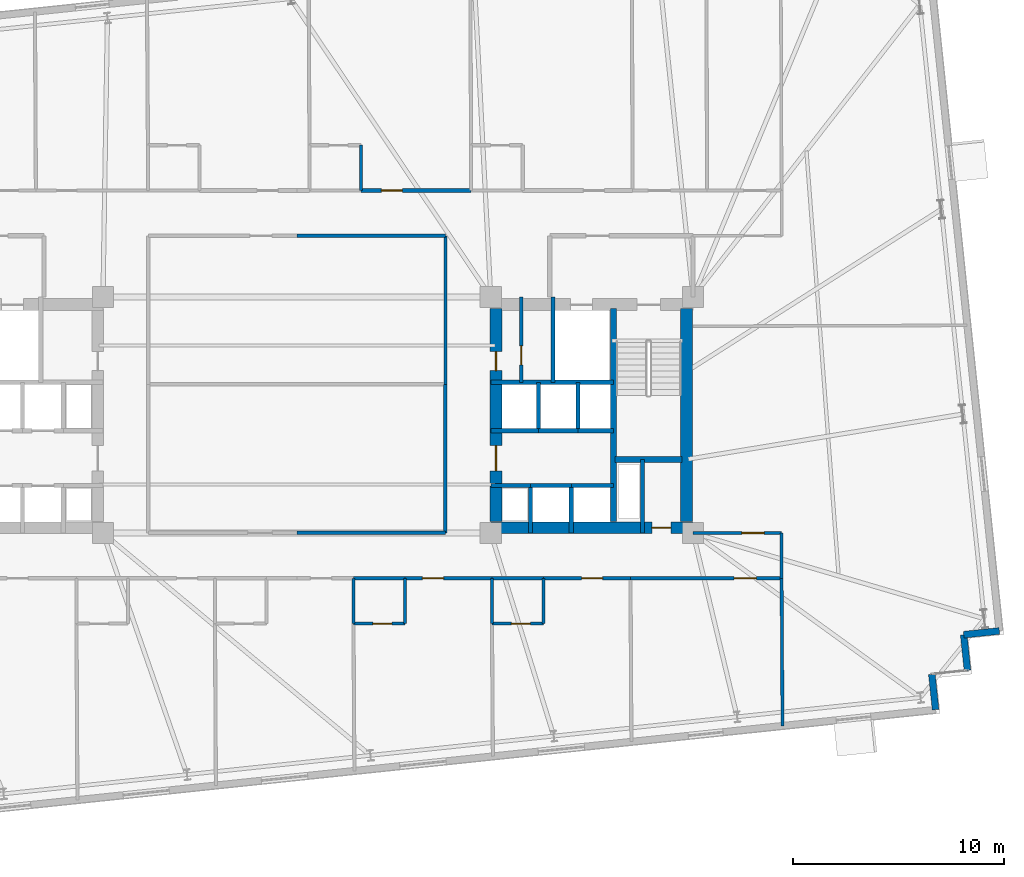
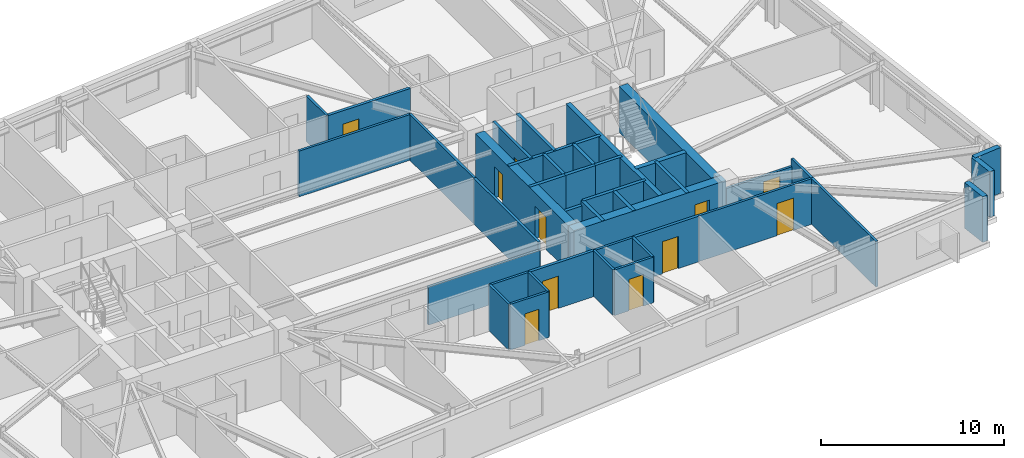
# One storey, part 14 of 18: 42 walls, 11 doors, 11 openings.
"""IFC4 building model written with IfcOpenShell, lengths in metres."""

import ifcopenshell
import ifcopenshell.guid

model = None  # the IFC model being written
_history = None  # IfcOwnerHistory: only IFC2X3 demands one
_inside = {}  # id of a spatial element -> (the spatial element, [elements in it])
_under = {}  # id of a project, library or spatial element -> (it, [spatial elements below it])
_declared = {}  # id of a project -> (the project, [libraries it declares])
_typed = {}  # id of a type object -> (the type object, [elements of that type])
_made_of = {}  # id of a material, layer set ... -> (it, [elements and type objects made of it])


def new_model(schema):
    """Start an empty IFC model of exactly this schema.

    Asked for "IFC4X3", IfcOpenShell would pick the latest addendum, in which some entities
    have other attributes; the version numbers below select the first issue.
    IFC2X3 requires an IfcOwnerHistory on every rooted entity: one is made here for all.
    """
    global model, _history
    if schema == "IFC4X3":
        model = ifcopenshell.file(schema_version=(4, 3, 0, 0))
    else:
        model = ifcopenshell.file(schema=schema)
    _inside.clear()
    _under.clear()
    _declared.clear()
    _typed.clear()
    _made_of.clear()
    _history = None
    if model.schema == "IFC2X3":
        org = make("IfcOrganization", Name="unknown")
        user = make(
            "IfcPersonAndOrganization",
            ThePerson=make("IfcPerson", FamilyName="unknown"),
            TheOrganization=org,
        )
        app = make(
            "IfcApplication",
            ApplicationDeveloper=org,
            Version="unknown",
            ApplicationFullName="unknown",
            ApplicationIdentifier="unknown",
        )
        _history = make(
            "IfcOwnerHistory",
            OwningUser=user,
            OwningApplication=app,
            ChangeAction="ADDED",
            CreationDate=0,
        )
    return model


def make(cls, **values):
    """One entity of the class cls with the attributes given. An attribute that is None is left unset."""
    return model.create_entity(
        cls, **{name: value for name, value in values.items() if value is not None}
    )


def rooted(cls, **values):
    """An entity with a GlobalId (a new one), such as an element, a storey or a relation."""
    return make(cls, GlobalId=ifcopenshell.guid.new(), OwnerHistory=_history, **values)


def si_unit(unit_type, name, prefix=None):
    """IfcSIUnit, for example si_unit("LENGTHUNIT", "METRE", prefix="MILLI")."""
    return make("IfcSIUnit", UnitType=unit_type, Prefix=prefix, Name=name)


def assignment(units):
    """IfcUnitAssignment: the units of a project."""
    return None if units is None else make("IfcUnitAssignment", Units=units)


def point(xyz):
    """IfcCartesianPoint."""
    return None if xyz is None else make("IfcCartesianPoint", Coordinates=xyz)


def direction(xyz):
    """IfcDirection."""
    return None if xyz is None else make("IfcDirection", DirectionRatios=xyz)


def frame(location, z_axis=None, x_axis=None):
    """IfcAxis2Placement3D, a coordinate frame: its origin and axes. An axis left out is left unset."""
    return make(
        "IfcAxis2Placement3D",
        Location=point(location),
        Axis=direction(z_axis),
        RefDirection=direction(x_axis),
    )


def frame_2d(location, x_axis=None):
    """IfcAxis2Placement2D, a coordinate frame in the plane: its origin and x axis."""
    return make(
        "IfcAxis2Placement2D", Location=point(location), RefDirection=direction(x_axis)
    )


def origin():
    """The frame at (0, 0, 0) with its axes left unset."""
    return frame((0.0, 0.0, 0.0))


def place(relative_to, where):
    """IfcLocalPlacement: puts the frame where relative to a parent placement (None: the world)."""
    return make(
        "IfcLocalPlacement", PlacementRelTo=relative_to, RelativePlacement=where
    )


def context(
    kind, dimensions, precision=None, world=None, true_north=None, identifier=None
):
    """IfcGeometricRepresentationContext, for example the 3D "Model" context."""
    return make(
        "IfcGeometricRepresentationContext",
        ContextIdentifier=identifier,
        ContextType=kind,
        CoordinateSpaceDimension=dimensions,
        Precision=precision,
        WorldCoordinateSystem=world,
        TrueNorth=true_north,
    )


def subcontext(parent, identifier, kind, view, scale=None):
    """IfcGeometricRepresentationSubContext, for example "Body" below "Model"."""
    return make(
        "IfcGeometricRepresentationSubContext",
        ContextIdentifier=identifier,
        ContextType=kind,
        ParentContext=parent,
        TargetScale=scale,
        TargetView=view,
    )


def project(units=None, contexts=None):
    """IfcProject with its units and contexts."""
    return rooted(
        "IfcProject",
        Name="project",
        RepresentationContexts=contexts,
        UnitsInContext=assignment(units),
    )


def spatial(cls, under=None, at=None, **own):
    """A site, building, storey or space (cls), placed at a placement, below another one or the project."""
    s = rooted(cls, ObjectPlacement=at, **own)
    if under is not None:
        _under.setdefault(under.id(), (under, []))[1].append(s)
    return s


def profile(cls, at=None, kind="AREA", **sizes):
    """A parametric profile (cls). Its sizes go by their IFC names, for example OverallWidth=200.0."""
    return make(cls, ProfileType=kind, Position=at, **sizes)


def rectangle(**sizes):
    """IfcRectangleProfileDef."""
    return profile("IfcRectangleProfileDef", **sizes)


def extrude(swept, where, along, depth):
    """IfcExtrudedAreaSolid: the profile swept, set in the frame where, extruded along a direction by depth."""
    return make(
        "IfcExtrudedAreaSolid",
        SweptArea=swept,
        Position=where,
        ExtrudedDirection=direction(along),
        Depth=depth,
    )


def shape(context_of_items, identifier, shape_type, items):
    """IfcShapeRepresentation: the items that make up one representation, for example the "Body"."""
    return make(
        "IfcShapeRepresentation",
        ContextOfItems=context_of_items,
        RepresentationIdentifier=identifier,
        RepresentationType=shape_type,
        Items=items,
    )


def material(Name=None, Category=None):
    """IfcMaterial."""
    return make("IfcMaterial", Name=Name, Category=Category)


def layer(
    of_material, thickness, ventilated=None, Name=None, Category=None, Priority=None
):
    """IfcMaterialLayer: one layer of a wall or slab, of a material (None: an air gap)."""
    return make(
        "IfcMaterialLayer",
        Material=of_material,
        LayerThickness=thickness,
        IsVentilated=ventilated,
        Name=Name,
        Category=Category,
        Priority=Priority,
    )


def layer_set(layers, Name=None):
    """IfcMaterialLayerSet."""
    return make("IfcMaterialLayerSet", MaterialLayers=layers, LayerSetName=Name)


def made_of(thing, what):
    """Note that an element or type object is made of a material, layer set ...; save() writes the relation."""
    if what is not None:
        _made_of.setdefault(what.id(), (what, []))[1].append(thing)
    return thing


def type_object(cls, material=None, **own):
    """A type object (cls), such as IfcWallType, which elements share."""
    return made_of(rooted(cls, **own), material)


def element(
    cls,
    number,
    at=None,
    inside=None,
    cuts=None,
    type_object=None,
    material=None,
    context=None,
    identifier="Body",
    shape_type=None,
    held_by="IfcProductDefinitionShape",
    body=None,
    shapes=None,
    **own,
):
    """One element of the class cls, such as IfcWall. Its Tag is "e" and its number.

    at: its placement. inside: the storey or other place that contains it. cuts: it is an
    opening in that element (IfcRelVoidsElement). A single representation is given by context,
    identifier, shape_type and body (its items); several are given by shapes. held_by: the class
    of the entity that holds the representations. save() writes the other relations.
    """
    e = rooted(cls, Tag="e%d" % number, ObjectPlacement=at, **own)
    if body is not None:
        shapes = [shape(context, identifier, shape_type, body)]
    if shapes is not None:
        e.Representation = make(held_by, Representations=shapes)
    if inside is not None:
        _inside.setdefault(inside.id(), (inside, []))[1].append(e)
    if cuts is not None:
        rooted(
            "IfcRelVoidsElement", RelatingBuildingElement=cuts, RelatedOpeningElement=e
        )
    if type_object is not None:
        _typed.setdefault(type_object.id(), (type_object, []))[1].append(e)
    return made_of(e, material)


def fill(opening, filler):
    """IfcRelFillsElement: the door or window that sits in an opening."""
    return rooted(
        "IfcRelFillsElement",
        RelatingOpeningElement=opening,
        RelatedBuildingElement=filler,
    )


def aggregate(whole, parts):
    """IfcRelAggregates: a whole, such as a stair, and the parts it consists of."""
    return rooted("IfcRelAggregates", RelatingObject=whole, RelatedObjects=parts)


def save(model, path):
    """Write the relations noted so far, then the file.

    IfcRelAggregates (storeys below a building ...), IfcRelContainedInSpatialStructure (elements
    in a storey), IfcRelDefinesByType, IfcRelAssociatesMaterial and IfcRelDeclares: one each for
    every whole, place, type object, material and project.
    """
    for whole, parts in _under.values():
        aggregate(whole, parts)
    for where, things in _inside.values():
        rooted(
            "IfcRelContainedInSpatialStructure",
            RelatedElements=things,
            RelatingStructure=where,
        )
    for kind, things in _typed.values():
        rooted("IfcRelDefinesByType", RelatedObjects=things, RelatingType=kind)
    for what, things in _made_of.values():
        rooted("IfcRelAssociatesMaterial", RelatedObjects=things, RelatingMaterial=what)
    for by, libraries in _declared.values():
        rooted("IfcRelDeclares", RelatingContext=by, RelatedDefinitions=libraries)
    model.write(path)


model = new_model("IFC4")

# Units and contexts
model_context = context("Model", 3, precision=1e-05, world=origin(), true_north=direction((0.0, 1.0)))
body_context = subcontext(model_context, "Body", "Model", "MODEL_VIEW")
ifc_project = project(units=[si_unit("LENGTHUNIT", "METRE"), si_unit("AREAUNIT", "SQUARE_METRE"), si_unit("VOLUMEUNIT", "CUBIC_METRE"), si_unit("PLANEANGLEUNIT", "RADIAN"), si_unit("MASSUNIT", "GRAM", prefix="KILO")], contexts=[model_context])

# Site, building, storey
site_placement = place(None, origin())
site = spatial("IfcSite", under=ifc_project, at=site_placement, CompositionType="ELEMENT")
building_placement = place(site_placement, origin())
building = spatial("IfcBuilding", under=site, at=building_placement, Name="Qobustan Lattice House", CompositionType="ELEMENT")
storey_placement = place(building_placement, frame((0.0, 0.0, 119.199951171875)))
storey = spatial("IfcBuildingStorey", under=building, at=storey_placement, Name="L33", CompositionType="ELEMENT", Elevation=119.199951171875)

# Wall, opening, door
ifc_material_1 = material(Name="Concrete C60/75", Category="concrete")
ifc_layer_1 = layer(ifc_material_1, 0.56005859375)
ifc_layer_set_1 = layer_set([ifc_layer_1], Name="Concrete C60/75")
wall_type_1 = type_object("IfcWallType", Name="WAL-CORE-600", PredefinedType="SHEAR", material=ifc_layer_set_1)
wall_1_placement = place(storey_placement, frame((9.199951171875, -5.35009765625, 0.0), z_axis=(0.0, 0.0, 1.0), x_axis=(1.0, 0.0, 0.0)))
wall_1 = element("IfcWall", 1, at=wall_1_placement, inside=storey, type_object=wall_type_1, Name="L33 split-core shear wall CE-S", PredefinedType="SHEAR", context=body_context, shape_type="SweptSolid", body=[
    extrude(rectangle(XDim=9.60009765625, YDim=0.56005859375, at=frame_2d((4.800048828125, 0.0))), origin(), (0.0, 0.0, 1.0), 3.045166015625),
])
opening_1_placement = place(wall_1_placement, frame((7.64990234375, 0.0, 0.0)))
opening_1 = element("IfcOpeningElement", 2, at=opening_1_placement, cuts=wall_1, Name="Opening RD-01", PredefinedType="OPENING", context=body_context, shape_type="SweptSolid", body=[
    extrude(rectangle(XDim=0.89990234375, YDim=2.10009765625, at=frame_2d((0.449951171875, 1.050048828125))), frame((0.0, 0.2900390625, 0.0), z_axis=(0.0, -1.0, 0.0), x_axis=(1.0, 0.0, 0.0)), (0.0, 0.0, 1.0), 0.580078125),
])
ifc_material_2 = material(Name="Persian walnut timber and steel frame door", Category="steel")
door_type_1 = type_object("IfcDoorType", Name="DOR-RISER-FD-900x2100", OperationType="NOTDEFINED", PredefinedType="DOOR", material=ifc_material_2)
door_1_placement = place(opening_1_placement, origin())
door_1 = element("IfcDoor", 3, at=door_1_placement, inside=storey, type_object=door_type_1, Name="L33 core service riser access door E", OperationType="SINGLE_SWING_LEFT", OverallHeight=2.10009765625, OverallWidth=0.89990234375, PredefinedType="DOOR", context=body_context, shape_type="SweptSolid", body=[
    extrude(rectangle(XDim=0.89990234375, YDim=2.10009765625, at=frame_2d((0.449951171875, 1.050048828125))), frame((0.0, 0.02490234375, 0.0), z_axis=(0.0, -1.0, 0.0), x_axis=(1.0, 0.0, 0.0)), (0.0, 0.0, 1.0), 0.050048828125),
])
fill(opening_1, door_1)

# Wall, openings, doors
wall_2_placement = place(storey_placement, frame((9.449951171875, -5.050048828125, 0.0), z_axis=(0.0, 0.0, 1.0), x_axis=(0.0, 1.0, 0.0)))
wall_2 = element("IfcWall", 4, at=wall_2_placement, inside=storey, type_object=wall_type_1, Name="L33 split-core shear wall CE-W", PredefinedType="SHEAR", context=body_context, shape_type="SweptSolid", body=[
    extrude(rectangle(XDim=10.10009765625, YDim=0.56005859375, at=frame_2d((5.050048828125, 0.0))), origin(), (0.0, 0.0, 1.0), 3.045166015625),
])
opening_2_placement = place(wall_2_placement, frame((7.14990234375, 0.0, 0.0)))
opening_2 = element("IfcOpeningElement", 5, at=opening_2_placement, cuts=wall_2, Name="Opening RD-01", PredefinedType="OPENING", context=body_context, shape_type="SweptSolid", body=[
    extrude(rectangle(XDim=0.89990234375, YDim=2.10009765625, at=frame_2d((0.449951171875, 1.050048828125))), frame((0.0, 0.2900390625, 0.0), z_axis=(0.0, -1.0, 0.0), x_axis=(1.0, 0.0, 0.0)), (0.0, 0.0, 1.0), 0.580078125),
])
opening_3_placement = place(wall_2_placement, frame((2.39990234375, 0.0, 0.0)))
opening_3 = element("IfcOpeningElement", 6, at=opening_3_placement, cuts=wall_2, Name="Opening FD-01", PredefinedType="OPENING", context=body_context, shape_type="SweptSolid", body=[
    extrude(rectangle(XDim=1.199951171875, YDim=2.14990234375, at=frame_2d((0.60009765625, 1.074951171875))), frame((0.0, 0.2900390625, 0.0), z_axis=(0.0, -1.0, 0.0), x_axis=(1.0, 0.0, 0.0)), (0.0, 0.0, 1.0), 0.580078125),
])
ifc_material_3 = material(Name="Persian walnut timber and steel frame door", Category="steel")
door_type_2 = type_object("IfcDoorType", Name="DOR-LOBBY-FD-1200x2150", OperationType="NOTDEFINED", PredefinedType="DOOR", material=ifc_material_3)
door_2_placement = place(opening_3_placement, origin())
door_2 = element("IfcDoor", 7, at=door_2_placement, inside=storey, type_object=door_type_2, Name="L33 East passenger lift lobby fire door", OperationType="SINGLE_SWING_RIGHT", OverallHeight=2.14990234375, OverallWidth=1.199951171875, PredefinedType="DOOR", context=body_context, shape_type="SweptSolid", body=[
    extrude(rectangle(XDim=1.199951171875, YDim=2.14990234375, at=frame_2d((0.60009765625, 1.074951171875))), frame((0.0, 0.02490234375, 0.0), z_axis=(0.0, -1.0, 0.0), x_axis=(1.0, 0.0, 0.0)), (0.0, 0.0, 1.0), 0.050048828125),
])
fill(opening_3, door_2)
door_3_placement = place(opening_2_placement, origin())
door_3 = element("IfcDoor", 8, at=door_3_placement, inside=storey, type_object=door_type_1, Name="L33 Print and mail closet fire door", OperationType="SINGLE_SWING_LEFT", OverallHeight=2.10009765625, OverallWidth=0.89990234375, PredefinedType="DOOR", context=body_context, shape_type="SweptSolid", body=[
    extrude(rectangle(XDim=0.89990234375, YDim=2.10009765625, at=frame_2d((0.449951171875, 1.050048828125))), frame((0.0, 0.02490234375, 0.0), z_axis=(0.0, -1.0, 0.0), x_axis=(1.0, 0.0, 0.0)), (0.0, 0.0, 1.0), 0.050048828125),
])
fill(opening_2, door_3)

# Walls
wall_3_placement = place(storey_placement, frame((18.489990234375, -5.050048828125, 0.0), z_axis=(0.0, 0.0, 1.0), x_axis=(0.0, 1.0, 0.0)))
element("IfcWall", 9, at=wall_3_placement, inside=storey, type_object=wall_type_1, Name="L33 split-core shear wall CE-E", PredefinedType="SHEAR", context=body_context, shape_type="SweptSolid", body=[
    extrude(rectangle(XDim=10.10009765625, YDim=0.56005859375, at=frame_2d((5.050048828125, 0.0))), origin(), (0.0, 0.0, 1.0), 3.045166015625),
])
ifc_material_4 = material(Name="Concrete C50/60", Category="concrete")
ifc_layer_2 = layer(ifc_material_4, 0.280029296875)
ifc_layer_set_2 = layer_set([ifc_layer_2], Name="Concrete C50/60")
wall_type_2 = type_object("IfcWallType", Name="WAL-CORE-SPINE-280", PredefinedType="SHEAR", material=ifc_layer_set_2)
wall_4_placement = place(storey_placement, frame((15.02001953125, -5.050048828125, 0.0), z_axis=(0.0, 0.0, 1.0), x_axis=(0.0, 1.0, 0.0)))
element("IfcWall", 10, at=wall_4_placement, inside=storey, type_object=wall_type_2, Name="L33 split-core shear wall CE-M", PredefinedType="SHEAR", context=body_context, shape_type="SweptSolid", body=[
    extrude(rectangle(XDim=10.10009765625, YDim=0.300048828125, at=frame_2d((5.050048828125, 0.0))), origin(), (0.0, 0.0, 1.0), 3.045166015625),
])
wall_5_placement = place(storey_placement, frame((15.10009765625, -2.110107421875, 0.0), z_axis=(0.0, 0.0, 1.0), x_axis=(1.0, 0.0, 0.0)))
element("IfcWall", 11, at=wall_5_placement, inside=storey, type_object=wall_type_2, Name="L33 split-core shear wall CE-ST", PredefinedType="SHEAR", context=body_context, shape_type="SweptSolid", body=[
    extrude(rectangle(XDim=3.179931640625, YDim=0.300048828125, at=frame_2d((1.58984375, 0.0))), origin(), (0.0, 0.0, 1.0), 3.045166015625),
])
ifc_material_5 = material(Name="Precast concrete C40/50", Category="concrete")
ifc_layer_3 = layer(ifc_material_5, 0.320068359375)
ifc_layer_set_3 = layer_set([ifc_layer_3], Name="Precast concrete C40/50")
wall_type_3 = type_object("IfcWallType", Name="WAL-EXT-STONE-320", PredefinedType="SOLIDWALL", material=ifc_layer_set_3)
for number, where, z_axis, x_axis, name in (
    (12, (33.333251953125, -10.2490234375, 0.0), (0.0, 0.0, 1.0), (-0.994519608382, -0.104550220202, 0.0), "L33 exterior limestone-clad wall 16"),
    (13, (31.642578125, -10.4267578125, 0.0), (0.0, 0.0, 1.0), (0.104550220202, -0.994519608382, 0.0), "L33 exterior limestone-clad wall 17"),
):
    element("IfcWall", number, at=place(storey_placement, frame(where, z_axis=z_axis, x_axis=x_axis)), inside=storey, type_object=wall_type_3, Name=name, PredefinedType="SOLIDWALL", context=body_context, shape_type="SweptSolid", body=[
        extrude(rectangle(XDim=1.699951171875, YDim=0.320068359375, at=frame_2d((0.85009765625, 0.0))), origin(), (0.0, 0.0, 1.0), 3.045166015625),
    ])
wall_6_placement = place(storey_placement, frame((30.129638671875, -12.295166015625, 0.0), z_axis=(0.0, 0.0, 1.0), x_axis=(0.104565154801, -0.994518038248, 0.0)))
element("IfcWall", 14, at=wall_6_placement, inside=storey, type_object=wall_type_3, Name="L33 exterior limestone-clad wall 19", PredefinedType="SOLIDWALL", context=body_context, shape_type="SweptSolid", body=[
    extrude(rectangle(XDim=1.69970703125, YDim=0.320068359375, at=frame_2d((0.849853515625, 0.0))), origin(), (0.0, 0.0, 1.0), 3.045166015625),
])

# Wall, opening, door
ifc_material_6 = material(Name="Gypsum fireboard acoustic partition", Category="gypsum")
ifc_layer_4 = layer(ifc_material_6, 0.179931640625)
ifc_layer_set_4 = layer_set([ifc_layer_4], Name="Gypsum fireboard acoustic partition")
wall_type_4 = type_object("IfcWallType", Name="WAL-FIRE-180", PredefinedType="PARTITIONING", material=ifc_layer_set_4)
wall_7_placement = place(storey_placement, frame((10.64990234375, 1.550048828125, 0.0), z_axis=(0.0, 0.0, 1.0), x_axis=(0.0, 1.0, 0.0)))
wall_7 = element("IfcWall", 15, at=wall_7_placement, inside=storey, type_object=wall_type_4, Name="L33 interior partition 23", PredefinedType="PARTITIONING", context=body_context, shape_type="SweptSolid", body=[
    extrude(rectangle(XDim=4.050048828125, YDim=0.179931640625, at=frame_2d((2.02490234375, 0.0))), origin(), (0.0, 0.0, 1.0), 3.045166015625),
])
opening_4_placement = place(wall_7_placement, frame((0.828857421875, 0.0, 0.0)))
opening_4 = element("IfcOpeningElement", 16, at=opening_4_placement, cuts=wall_7, Name="Opening RD-01", PredefinedType="OPENING", context=body_context, shape_type="SweptSolid", body=[
    extrude(rectangle(XDim=0.89990234375, YDim=2.10009765625, at=frame_2d((0.449951171875, 1.050048828125))), frame((0.0, 0.099853515625, 0.0), z_axis=(0.0, -1.0, 0.0), x_axis=(1.0, 0.0, 0.0)), (0.0, 0.0, 1.0), 0.199951171875),
])
door_4_placement = place(opening_4_placement, origin())
door_4 = element("IfcDoor", 17, at=door_4_placement, inside=storey, type_object=door_type_1, Name="L33 Print and mail closet to Core utility store door", OperationType="SINGLE_SWING_RIGHT", OverallHeight=2.10009765625, OverallWidth=0.89990234375, PredefinedType="DOOR", context=body_context, shape_type="SweptSolid", body=[
    extrude(rectangle(XDim=0.89990234375, YDim=2.10009765625, at=frame_2d((0.449951171875, 1.050048828125))), frame((0.0, 0.02490234375, 0.0), z_axis=(0.0, -1.0, 0.0), x_axis=(1.0, 0.0, 0.0)), (0.0, 0.0, 1.0), 0.050048828125),
])
fill(opening_4, door_4)

wall_8_placement = place(storey_placement, frame((3.050048828125, 10.64990234375, 0.0), z_axis=(0.0, 0.0, 1.0), x_axis=(1.0, 0.0, 0.0)))
wall_8 = element("IfcWall", 18, at=wall_8_placement, inside=storey, type_object=wall_type_4, Name="L33 interior partition 47", PredefinedType="PARTITIONING", context=body_context, shape_type="SweptSolid", body=[
    extrude(rectangle(XDim=5.217041015625, YDim=0.179931640625, at=frame_2d((2.6083984375, 0.0))), origin(), (0.0, 0.0, 1.0), 3.045166015625),
])
opening_5_placement = place(wall_8_placement, frame((0.962158203125, 0.0, 0.0)))
opening_5 = element("IfcOpeningElement", 19, at=opening_5_placement, cuts=wall_8, Name="Opening FD-02", PredefinedType="OPENING", context=body_context, shape_type="SweptSolid", body=[
    extrude(rectangle(XDim=1.0, YDim=2.14990234375, at=frame_2d((0.5, 1.074951171875))), frame((0.0, 0.099853515625, 0.0), z_axis=(0.0, -1.0, 0.0), x_axis=(1.0, 0.0, 0.0)), (0.0, 0.0, 1.0), 0.199951171875),
])
ifc_material_7 = material(Name="Persian walnut timber and steel frame door", Category="steel")
door_type_3 = type_object("IfcDoorType", Name="DOR-UNIT-FD-1000x2150", OperationType="NOTDEFINED", PredefinedType="DOOR", material=ifc_material_7)
door_5_placement = place(opening_5_placement, origin())
door_5 = element("IfcDoor", 20, at=door_5_placement, inside=storey, type_object=door_type_3, Name="L33 North-east floor corridor to Kitchenette and studio apartment L33-N4 door", OperationType="SINGLE_SWING_RIGHT", OverallHeight=2.14990234375, OverallWidth=1.0, PredefinedType="DOOR", context=body_context, shape_type="SweptSolid", body=[
    extrude(rectangle(XDim=1.0, YDim=2.14990234375, at=frame_2d((0.5, 1.074951171875))), frame((0.0, 0.02490234375, 0.0), z_axis=(0.0, -1.0, 0.0), x_axis=(1.0, 0.0, 0.0)), (0.0, 0.0, 1.0), 0.050048828125),
])
fill(opening_5, door_5)

wall_9_placement = place(storey_placement, frame((9.257080078125, -7.75, 0.0), z_axis=(0.0, 0.0, 1.0), x_axis=(-1.0, 0.0, 0.0)))
wall_9 = element("IfcWall", 21, at=wall_9_placement, inside=storey, type_object=wall_type_4, Name="L33 interior partition 67", PredefinedType="PARTITIONING", context=body_context, shape_type="SweptSolid", body=[
    extrude(rectangle(XDim=4.12109375, YDim=0.179931640625, at=frame_2d((2.060546875, 0.0))), origin(), (0.0, 0.0, 1.0), 3.045166015625),
])
opening_6_placement = place(wall_9_placement, frame((2.2958984375, 0.0, 0.0)))
opening_6 = element("IfcOpeningElement", 22, at=opening_6_placement, cuts=wall_9, Name="Opening FD-02", PredefinedType="OPENING", context=body_context, shape_type="SweptSolid", body=[
    extrude(rectangle(XDim=1.0, YDim=2.14990234375, at=frame_2d((0.5, 1.074951171875))), frame((0.0, 0.099853515625, 0.0), z_axis=(0.0, -1.0, 0.0), x_axis=(1.0, 0.0, 0.0)), (0.0, 0.0, 1.0), 0.199951171875),
])
door_6_placement = place(opening_6_placement, origin())
door_6 = element("IfcDoor", 23, at=door_6_placement, inside=storey, type_object=door_type_3, Name="L33 South-east floor corridor to Kitchenette and studio apartment L33-S5 door", OperationType="SINGLE_SWING_LEFT", OverallHeight=2.14990234375, OverallWidth=1.0, PredefinedType="DOOR", context=body_context, shape_type="SweptSolid", body=[
    extrude(rectangle(XDim=1.0, YDim=2.14990234375, at=frame_2d((0.5, 1.074951171875))), frame((0.0, 0.02490234375, 0.0), z_axis=(0.0, -1.0, 0.0), x_axis=(1.0, 0.0, 0.0)), (0.0, 0.0, 1.0), 0.050048828125),
])
fill(opening_6, door_6)

wall_10_placement = place(storey_placement, frame((15.8291015625, -7.75, 0.0), z_axis=(0.0, 0.0, 1.0), x_axis=(-1.0, 0.0, 0.0)))
wall_10 = element("IfcWall", 24, at=wall_10_placement, inside=storey, type_object=wall_type_4, Name="L33 interior partition 69", PredefinedType="PARTITIONING", context=body_context, shape_type="SweptSolid", body=[
    extrude(rectangle(XDim=4.1220703125, YDim=0.179931640625, at=frame_2d((2.06103515625, 0.0))), origin(), (0.0, 0.0, 1.0), 3.045166015625),
])
opening_7_placement = place(wall_10_placement, frame((1.315673828125, 0.0, 0.0)))
opening_7 = element("IfcOpeningElement", 25, at=opening_7_placement, cuts=wall_10, Name="Opening FD-02", PredefinedType="OPENING", context=body_context, shape_type="SweptSolid", body=[
    extrude(rectangle(XDim=1.0, YDim=2.14990234375, at=frame_2d((0.5, 1.074951171875))), frame((0.0, 0.099853515625, 0.0), z_axis=(0.0, -1.0, 0.0), x_axis=(1.0, 0.0, 0.0)), (0.0, 0.0, 1.0), 0.199951171875),
])
door_7_placement = place(opening_7_placement, origin())
door_7 = element("IfcDoor", 26, at=door_7_placement, inside=storey, type_object=door_type_3, Name="L33 South-east floor corridor to Kitchenette and studio apartment L33-S6 door", OperationType="SINGLE_SWING_RIGHT", OverallHeight=2.14990234375, OverallWidth=1.0, PredefinedType="DOOR", context=body_context, shape_type="SweptSolid", body=[
    extrude(rectangle(XDim=1.0, YDim=2.14990234375, at=frame_2d((0.5, 1.074951171875))), frame((0.0, 0.02490234375, 0.0), z_axis=(0.0, -1.0, 0.0), x_axis=(1.0, 0.0, 0.0)), (0.0, 0.0, 1.0), 0.050048828125),
])
fill(opening_7, door_7)

# Wall
ifc_material_8 = material(Name="Acoustic twin-stud gypsum partition", Category="gypsum")
ifc_layer_5 = layer(ifc_material_8, 0.14990234375)
ifc_layer_set_5 = layer_set([ifc_layer_5], Name="Acoustic twin-stud gypsum partition")
wall_type_5 = type_object("IfcWallType", Name="WAL-PART-150", PredefinedType="PARTITIONING", material=ifc_layer_set_5)
wall_11_placement = place(storey_placement, frame((7.050048828125, 8.5, 0.0), z_axis=(0.0, 0.0, 1.0), x_axis=(-1.0, 0.0, 0.0)))
element("IfcWall", 27, at=wall_11_placement, inside=storey, type_object=wall_type_5, Name="L33 interior partition 53", PredefinedType="PARTITIONING", context=body_context, shape_type="SweptSolid", body=[
    extrude(rectangle(XDim=7.050048828125, YDim=0.14990234375, at=frame_2d((3.52490234375, 0.0))), origin(), (0.0, 0.0, 1.0), 3.045166015625),
])

# Wall, opening, door
wall_12_placement = place(storey_placement, frame((18.800048828125, -5.60009765625, 0.0), z_axis=(0.0, 0.0, 1.0), x_axis=(1.0, 0.0, 0.0)))
wall_12 = element("IfcWall", 28, at=wall_12_placement, inside=storey, type_object=wall_type_5, Name="L33 interior partition 64", PredefinedType="PARTITIONING", context=body_context, shape_type="SweptSolid", body=[
    extrude(rectangle(XDim=4.199951171875, YDim=0.14990234375, at=frame_2d((2.10009765625, 0.0))), origin(), (0.0, 0.0, 1.0), 2.530029296875),
])
opening_8_placement = place(wall_12_placement, frame((2.3212890625, 0.0, 0.0)))
opening_8 = element("IfcOpeningElement", 29, at=opening_8_placement, cuts=wall_12, Name="Opening ID-02", PredefinedType="OPENING", context=body_context, shape_type="SweptSolid", body=[
    extrude(rectangle(XDim=1.050048828125, YDim=2.14990234375, at=frame_2d((0.52490234375, 1.074951171875))), frame((0.0, 0.0849609375, 0.0), z_axis=(0.0, -1.0, 0.0), x_axis=(1.0, 0.0, 0.0)), (0.0, 0.0, 1.0), 0.169921875),
])
ifc_material_9 = material(Name="Persian walnut timber and steel frame door", Category="steel")
door_type_4 = type_object("IfcDoorType", Name="DOR-STUDY-1050x2150", OperationType="NOTDEFINED", PredefinedType="DOOR", material=ifc_material_9)
door_8_placement = place(opening_8_placement, origin())
door_8 = element("IfcDoor", 30, at=door_8_placement, inside=storey, type_object=door_type_4, Name="L33 South-east floor corridor to Academic seminar room door", OperationType="SINGLE_SWING_LEFT", OverallHeight=2.14990234375, OverallWidth=1.050048828125, PredefinedType="DOOR", context=body_context, shape_type="SweptSolid", body=[
    extrude(rectangle(XDim=1.050048828125, YDim=2.14990234375, at=frame_2d((0.52490234375, 1.074951171875))), frame((0.0, 0.02490234375, 0.0), z_axis=(0.0, -1.0, 0.0), x_axis=(1.0, 0.0, 0.0)), (0.0, 0.0, 1.0), 0.050048828125),
])
fill(opening_8, door_8)

# Wall
wall_13_placement = place(storey_placement, frame((23.0, -5.60009765625, 0.0), z_axis=(0.0, 0.0, 1.0), x_axis=(0.0, -1.0, 0.0)))
element("IfcWall", 31, at=wall_13_placement, inside=storey, type_object=wall_type_5, Name="L33 interior partition 65", PredefinedType="PARTITIONING", context=body_context, shape_type="SweptSolid", body=[
    extrude(rectangle(XDim=2.14990234375, YDim=0.14990234375, at=frame_2d((1.074951171875, 0.0))), origin(), (0.0, 0.0, 1.0), 3.045166015625),
])

# Wall, opening, door
wall_14_placement = place(storey_placement, frame((23.0, -7.75, 0.0), z_axis=(0.0, 0.0, 1.0), x_axis=(-1.0, 0.0, 0.0)))
wall_14 = element("IfcWall", 32, at=wall_14_placement, inside=storey, type_object=wall_type_5, Name="L33 interior partition 71", PredefinedType="PARTITIONING", context=body_context, shape_type="SweptSolid", body=[
    extrude(rectangle(XDim=7.1708984375, YDim=0.14990234375, at=frame_2d((3.58544921875, 0.0))), origin(), (0.0, 0.0, 1.0), 3.045166015625),
])
opening_9_placement = place(wall_14_placement, frame((1.2001953125, 0.0, 0.0)))
opening_9 = element("IfcOpeningElement", 33, at=opening_9_placement, cuts=wall_14, Name="Opening ID-02", PredefinedType="OPENING", context=body_context, shape_type="SweptSolid", body=[
    extrude(rectangle(XDim=1.050048828125, YDim=2.14990234375, at=frame_2d((0.52490234375, 1.074951171875))), frame((0.0, 0.0849609375, 0.0), z_axis=(0.0, -1.0, 0.0), x_axis=(1.0, 0.0, 0.0)), (0.0, 0.0, 1.0), 0.169921875),
])
door_9_placement = place(opening_9_placement, origin())
door_9 = element("IfcDoor", 34, at=door_9_placement, inside=storey, type_object=door_type_4, Name="L33 South-east floor corridor to Group study room door", OperationType="SINGLE_SWING_LEFT", OverallHeight=2.14990234375, OverallWidth=1.050048828125, PredefinedType="DOOR", context=body_context, shape_type="SweptSolid", body=[
    extrude(rectangle(XDim=1.050048828125, YDim=2.14990234375, at=frame_2d((0.52490234375, 1.074951171875))), frame((0.0, 0.02490234375, 0.0), z_axis=(0.0, -1.0, 0.0), x_axis=(1.0, 0.0, 0.0)), (0.0, 0.0, 1.0), 0.050048828125),
])
fill(opening_9, door_9)

# Walls
wall_15_placement = place(storey_placement, frame((7.050048828125, 1.449951171875, 0.0), z_axis=(0.0, 0.0, 1.0), x_axis=(0.0, 1.0, 0.0)))
element("IfcWall", 35, at=wall_15_placement, inside=storey, type_object=wall_type_5, Name="L33 interior partition 76", PredefinedType="PARTITIONING", context=body_context, shape_type="SweptSolid", body=[
    extrude(rectangle(XDim=7.050048828125, YDim=0.14990234375, at=frame_2d((3.52490234375, 0.0))), origin(), (0.0, 0.0, 1.0), 3.045166015625),
])
wall_16_placement = place(storey_placement, frame((23.0439453125, -14.7490234375, 0.0), z_axis=(0.0, 0.0, 1.0), x_axis=(-0.006278653971, 0.999980289058, 0.0)))
element("IfcWall", 36, at=wall_16_placement, inside=storey, type_object=wall_type_5, Name="L33 interior partition 81", PredefinedType="PARTITIONING", context=body_context, shape_type="SweptSolid", body=[
    extrude(rectangle(XDim=6.999267578125, YDim=0.14990234375, at=frame_2d((3.49951171875, 0.0))), origin(), (0.0, 0.0, 1.0), 3.045166015625),
])
ifc_material_10 = material(Name="High-mass acoustic twin-stud partition", Category="gypsum")
ifc_layer_6 = layer(ifc_material_10, 0.1650390625)
ifc_layer_set_6 = layer_set([ifc_layer_6], Name="High-mass acoustic twin-stud partition")
wall_type_6 = type_object("IfcWallType", Name="WAL-PART-165", PredefinedType="PARTITIONING", material=ifc_layer_set_6)
wall_17_placement = place(storey_placement, frame((0.0, -5.60009765625, 0.0), z_axis=(0.0, 0.0, 1.0), x_axis=(1.0, 0.0, 0.0)))
element("IfcWall", 37, at=wall_17_placement, inside=storey, type_object=wall_type_6, Name="L33 interior partition 72", PredefinedType="PARTITIONING", context=body_context, shape_type="SweptSolid", body=[
    extrude(rectangle(XDim=7.050048828125, YDim=0.1650390625, at=frame_2d((3.52490234375, 0.0))), origin(), (0.0, 0.0, 1.0), 2.530029296875),
])
wall_18_placement = place(storey_placement, frame((7.050048828125, -5.60009765625, 0.0), z_axis=(0.0, 0.0, 1.0), x_axis=(0.0, 1.0, 0.0)))
element("IfcWall", 38, at=wall_18_placement, inside=storey, type_object=wall_type_6, Name="L33 interior partition 75", PredefinedType="PARTITIONING", context=body_context, shape_type="SweptSolid", body=[
    extrude(rectangle(XDim=7.050048828125, YDim=0.1650390625, at=frame_2d((3.52490234375, 0.0))), origin(), (0.0, 0.0, 1.0), 3.045166015625),
])
ifc_material_11 = material(Name="Concrete C40/50", Category="concrete")
ifc_layer_7 = layer(ifc_material_11, 0.199951171875)
ifc_layer_set_7 = layer_set([ifc_layer_7], Name="Concrete C40/50")
wall_type_7 = type_object("IfcWallType", Name="WAL-SHAFT-200", PredefinedType="PARTITIONING", material=ifc_layer_set_7)
wall_19_placement = place(storey_placement, frame((16.39990234375, -2.110107421875, 0.0), z_axis=(0.0, 0.0, 1.0), x_axis=(0.0, -1.0, 0.0)))
element("IfcWall", 39, at=wall_19_placement, inside=storey, type_object=wall_type_7, Name="L33 interior partition 18", PredefinedType="PARTITIONING", context=body_context, shape_type="SweptSolid", body=[
    extrude(rectangle(XDim=3.489990234375, YDim=0.199951171875, at=frame_2d((1.7451171875, 0.0))), origin(), (0.0, 0.0, 1.0), 3.045166015625),
])
wall_20_placement = place(storey_placement, frame((12.14990234375, 5.60009765625, 0.0), z_axis=(0.0, 0.0, 1.0), x_axis=(0.0, -1.0, 0.0)))
element("IfcWall", 40, at=wall_20_placement, inside=storey, type_object=wall_type_7, Name="L33 interior partition 19", PredefinedType="PARTITIONING", context=body_context, shape_type="SweptSolid", body=[
    extrude(rectangle(XDim=4.050048828125, YDim=0.199951171875, at=frame_2d((2.02490234375, 0.0))), origin(), (0.0, 0.0, 1.0), 3.045166015625),
])
wall_21_placement = place(storey_placement, frame((9.199951171875, -3.35009765625, 0.0), z_axis=(0.0, 0.0, 1.0), x_axis=(1.0, 0.0, 0.0)))
element("IfcWall", 41, at=wall_21_placement, inside=storey, type_object=wall_type_7, Name="L33 interior partition 25", PredefinedType="PARTITIONING", context=body_context, shape_type="SweptSolid", body=[
    extrude(rectangle(XDim=1.880126953125, YDim=0.199951171875, at=frame_2d((0.93994140625, 0.0))), origin(), (0.0, 0.0, 1.0), 2.760009765625),
])
wall_22_placement = place(storey_placement, frame((11.080078125, -3.35009765625, 0.0), z_axis=(0.0, 0.0, 1.0), x_axis=(1.0, 0.0, 0.0)))
element("IfcWall", 42, at=wall_22_placement, inside=storey, type_object=wall_type_7, Name="L33 interior partition 26", PredefinedType="PARTITIONING", context=body_context, shape_type="SweptSolid", body=[
    extrude(rectangle(XDim=1.93994140625, YDim=0.199951171875, at=frame_2d((0.969970703125, 0.0))), origin(), (0.0, 0.0, 1.0), 3.045166015625),
])
wall_23_placement = place(storey_placement, frame((13.02001953125, -3.35009765625, 0.0), z_axis=(0.0, 0.0, 1.0), x_axis=(1.0, 0.0, 0.0)))
element("IfcWall", 43, at=wall_23_placement, inside=storey, type_object=wall_type_7, Name="L33 interior partition 27", PredefinedType="PARTITIONING", context=body_context, shape_type="SweptSolid", body=[
    extrude(rectangle(XDim=2.0, YDim=0.199951171875, at=frame_2d((1.0, 0.0))), origin(), (0.0, 0.0, 1.0), 3.045166015625),
])
wall_24_placement = place(storey_placement, frame((11.4599609375, -0.75, 0.0), z_axis=(0.0, 0.0, 1.0), x_axis=(-1.0, 0.0, 0.0)))
element("IfcWall", 44, at=wall_24_placement, inside=storey, type_object=wall_type_7, Name="L33 interior partition 28", PredefinedType="PARTITIONING", context=body_context, shape_type="SweptSolid", body=[
    extrude(rectangle(XDim=2.260009765625, YDim=0.199951171875, at=frame_2d((1.1298828125, 0.0))), origin(), (0.0, 0.0, 1.0), 3.045166015625),
])
wall_25_placement = place(storey_placement, frame((13.340087890625, -0.75, 0.0), z_axis=(0.0, 0.0, 1.0), x_axis=(-1.0, 0.0, 0.0)))
element("IfcWall", 45, at=wall_25_placement, inside=storey, type_object=wall_type_7, Name="L33 interior partition 29", PredefinedType="PARTITIONING", context=body_context, shape_type="SweptSolid", body=[
    extrude(rectangle(XDim=1.880126953125, YDim=0.199951171875, at=frame_2d((0.93994140625, 0.0))), origin(), (0.0, 0.0, 1.0), 3.045166015625),
])
wall_26_placement = place(storey_placement, frame((15.02001953125, -0.75, 0.0), z_axis=(0.0, 0.0, 1.0), x_axis=(-1.0, 0.0, 0.0)))
element("IfcWall", 46, at=wall_26_placement, inside=storey, type_object=wall_type_7, Name="L33 interior partition 30", PredefinedType="PARTITIONING", context=body_context, shape_type="SweptSolid", body=[
    extrude(rectangle(XDim=1.679931640625, YDim=0.199951171875, at=frame_2d((0.83984375, 0.0))), origin(), (0.0, 0.0, 1.0), 3.045166015625),
])
for number, where, z_axis, x_axis, name in (
    (47, (11.080078125, -5.60009765625, 0.0), (0.0, 0.0, 1.0), (0.0, 1.0, 0.0), "L33 interior partition 32"),
    (48, (13.02001953125, -5.60009765625, 0.0), (0.0, 0.0, 1.0), (0.0, 1.0, 0.0), "L33 interior partition 33"),
):
    element("IfcWall", number, at=place(storey_placement, frame(where, z_axis=z_axis, x_axis=x_axis)), inside=storey, type_object=wall_type_7, Name=name, PredefinedType="PARTITIONING", context=body_context, shape_type="SweptSolid", body=[
        extrude(rectangle(XDim=2.25, YDim=0.199951171875, at=frame_2d((1.125, 0.0))), origin(), (0.0, 0.0, 1.0), 3.045166015625),
    ])
for number, where, z_axis, x_axis, name in (
    (49, (11.4599609375, -0.75, 0.0), (0.0, 0.0, 1.0), (0.0, 1.0, 0.0), "L33 interior partition 34"),
    (50, (13.340087890625, -0.75, 0.0), (0.0, 0.0, 1.0), (0.0, 1.0, 0.0), "L33 interior partition 35"),
):
    element("IfcWall", number, at=place(storey_placement, frame(where, z_axis=z_axis, x_axis=x_axis)), inside=storey, type_object=wall_type_7, Name=name, PredefinedType="PARTITIONING", context=body_context, shape_type="SweptSolid", body=[
        extrude(rectangle(XDim=2.300048828125, YDim=0.199951171875, at=frame_2d((1.14990234375, 0.0))), origin(), (0.0, 0.0, 1.0), 3.045166015625),
    ])
wall_27_placement = place(storey_placement, frame((9.199951171875, 1.550048828125, 0.0), z_axis=(0.0, 0.0, 1.0), x_axis=(1.0, 0.0, 0.0)))
element("IfcWall", 51, at=wall_27_placement, inside=storey, type_object=wall_type_7, Name="L33 interior partition 122", PredefinedType="PARTITIONING", context=body_context, shape_type="SweptSolid", body=[
    extrude(rectangle(XDim=5.820068359375, YDim=0.199951171875, at=frame_2d((2.91015625, 0.0))), origin(), (0.0, 0.0, 1.0), 3.045166015625),
])
ifc_material_12 = material(Name="Moisture-resistant acoustic plumbing wall", Category="gypsum")
ifc_layer_8 = layer(ifc_material_12, 0.14990234375)
ifc_layer_set_8 = layer_set([ifc_layer_8], Name="Moisture-resistant acoustic plumbing wall")
wall_type_8 = type_object("IfcWallType", Name="WAL-WET-150", PredefinedType="PLUMBINGWALL", material=ifc_layer_set_8)
for number, where, z_axis, x_axis, name in (
    (52, (5.135986328125, -7.75, 0.0), (0.0, 0.0, 1.0), (-1.0, 0.0, 0.0), "L33 interior partition 68"),
    (53, (11.70703125, -7.75, 0.0), (0.0, 0.0, 1.0), (-1.0, 0.0, 0.0), "L33 interior partition 70"),
):
    element("IfcWall", number, at=place(storey_placement, frame(where, z_axis=z_axis, x_axis=x_axis)), inside=storey, type_object=wall_type_8, Name=name, PredefinedType="PLUMBINGWALL", context=body_context, shape_type="SweptSolid", body=[
        extrude(rectangle(XDim=2.449951171875, YDim=0.14990234375, at=frame_2d((1.22509765625, 0.0))), origin(), (0.0, 0.0, 1.0), 3.045166015625),
    ])
wall_28_placement = place(storey_placement, frame((3.050048828125, 10.64990234375, 0.0), z_axis=(0.0, 0.0, 1.0), x_axis=(0.0, 1.0, 0.0)))
element("IfcWall", 54, at=wall_28_placement, inside=storey, type_object=wall_type_8, Name="L33 interior partition 92", PredefinedType="PLUMBINGWALL", context=body_context, shape_type="SweptSolid", body=[
    extrude(rectangle(XDim=2.150146484375, YDim=0.14990234375, at=frame_2d((1.0751953125, 0.0))), origin(), (0.0, 0.0, 1.0), 3.045166015625),
])
wall_29_placement = place(storey_placement, frame((2.68603515625, -7.75, 0.0), z_axis=(0.0, 0.0, 1.0), x_axis=(0.0, -1.0, 0.0)))
element("IfcWall", 55, at=wall_29_placement, inside=storey, type_object=wall_type_8, Name="L33 interior partition 112", PredefinedType="PLUMBINGWALL", context=body_context, shape_type="SweptSolid", body=[
    extrude(rectangle(XDim=2.14990234375, YDim=0.14990234375, at=frame_2d((1.074951171875, 0.0))), origin(), (0.0, 0.0, 1.0), 3.045166015625),
])

# Wall, opening, door
wall_30_placement = place(storey_placement, frame((2.68603515625, -9.89990234375, 0.0), z_axis=(0.0, 0.0, 1.0), x_axis=(1.0, 0.0, 0.0)))
wall_30 = element("IfcWall", 56, at=wall_30_placement, inside=storey, type_object=wall_type_8, Name="L33 interior partition 113", PredefinedType="PLUMBINGWALL", context=body_context, shape_type="SweptSolid", body=[
    extrude(rectangle(XDim=2.449951171875, YDim=0.14990234375, at=frame_2d((1.22509765625, 0.0))), origin(), (0.0, 0.0, 1.0), 3.045166015625),
])
opening_10_placement = place(wall_30_placement, frame((0.92138671875, 0.0, 0.0)))
opening_10 = element("IfcOpeningElement", 57, at=opening_10_placement, cuts=wall_30, Name="Opening WD-01", PredefinedType="OPENING", context=body_context, shape_type="SweptSolid", body=[
    extrude(rectangle(XDim=0.89990234375, YDim=2.10009765625, at=frame_2d((0.449951171875, 1.050048828125))), frame((0.0, 0.0849609375, 0.0), z_axis=(0.0, -1.0, 0.0), x_axis=(1.0, 0.0, 0.0)), (0.0, 0.0, 1.0), 0.169921875),
])
ifc_material_13 = material(Name="Persian walnut timber and steel frame door", Category="steel")
door_type_5 = type_object("IfcDoorType", Name="DOR-WET-900x2100", OperationType="NOTDEFINED", PredefinedType="DOOR", material=ifc_material_13)
door_10_placement = place(opening_10_placement, origin())
door_10 = element("IfcDoor", 58, at=door_10_placement, inside=storey, type_object=door_type_5, Name="L33 Kitchenette and studio apartment L33-S5 to En-suite bathroom L33-S5 door", OperationType="SINGLE_SWING_RIGHT", OverallHeight=2.10009765625, OverallWidth=0.89990234375, PredefinedType="DOOR", context=body_context, shape_type="SweptSolid", body=[
    extrude(rectangle(XDim=0.89990234375, YDim=2.10009765625, at=frame_2d((0.449951171875, 1.050048828125))), frame((0.0, 0.02490234375, 0.0), z_axis=(0.0, -1.0, 0.0), x_axis=(1.0, 0.0, 0.0)), (0.0, 0.0, 1.0), 0.050048828125),
])
fill(opening_10, door_10)

# Walls
for number, where, z_axis, x_axis, name in (
    (59, (5.135986328125, -9.89990234375, 0.0), (0.0, 0.0, 1.0), (0.0, 1.0, 0.0), "L33 interior partition 114"),
    (60, (9.257080078125, -7.75, 0.0), (0.0, 0.0, 1.0), (0.0, -1.0, 0.0), "L33 interior partition 116"),
):
    element("IfcWall", number, at=place(storey_placement, frame(where, z_axis=z_axis, x_axis=x_axis)), inside=storey, type_object=wall_type_8, Name=name, PredefinedType="PLUMBINGWALL", context=body_context, shape_type="SweptSolid", body=[
        extrude(rectangle(XDim=2.14990234375, YDim=0.14990234375, at=frame_2d((1.074951171875, 0.0))), origin(), (0.0, 0.0, 1.0), 3.045166015625),
    ])

# Wall, opening, door
wall_31_placement = place(storey_placement, frame((9.257080078125, -9.89990234375, 0.0), z_axis=(0.0, 0.0, 1.0), x_axis=(1.0, 0.0, 0.0)))
wall_31 = element("IfcWall", 61, at=wall_31_placement, inside=storey, type_object=wall_type_8, Name="L33 interior partition 117", PredefinedType="PLUMBINGWALL", context=body_context, shape_type="SweptSolid", body=[
    extrude(rectangle(XDim=2.449951171875, YDim=0.14990234375, at=frame_2d((1.22509765625, 0.0))), origin(), (0.0, 0.0, 1.0), 3.045166015625),
])
opening_11_placement = place(wall_31_placement, frame((0.92138671875, 0.0, 0.0)))
opening_11 = element("IfcOpeningElement", 62, at=opening_11_placement, cuts=wall_31, Name="Opening WD-01", PredefinedType="OPENING", context=body_context, shape_type="SweptSolid", body=[
    extrude(rectangle(XDim=0.89990234375, YDim=2.10009765625, at=frame_2d((0.449951171875, 1.050048828125))), frame((0.0, 0.0849609375, 0.0), z_axis=(0.0, -1.0, 0.0), x_axis=(1.0, 0.0, 0.0)), (0.0, 0.0, 1.0), 0.169921875),
])
door_11_placement = place(opening_11_placement, origin())
door_11 = element("IfcDoor", 63, at=door_11_placement, inside=storey, type_object=door_type_5, Name="L33 Kitchenette and studio apartment L33-S6 to En-suite bathroom L33-S6 door", OperationType="SINGLE_SWING_LEFT", OverallHeight=2.10009765625, OverallWidth=0.89990234375, PredefinedType="DOOR", context=body_context, shape_type="SweptSolid", body=[
    extrude(rectangle(XDim=0.89990234375, YDim=2.10009765625, at=frame_2d((0.449951171875, 1.050048828125))), frame((0.0, 0.02490234375, 0.0), z_axis=(0.0, -1.0, 0.0), x_axis=(1.0, 0.0, 0.0)), (0.0, 0.0, 1.0), 0.050048828125),
])
fill(opening_11, door_11)

# Wall
wall_32_placement = place(storey_placement, frame((11.70703125, -9.89990234375, 0.0), z_axis=(0.0, 0.0, 1.0), x_axis=(0.0, 1.0, 0.0)))
element("IfcWall", 64, at=wall_32_placement, inside=storey, type_object=wall_type_8, Name="L33 interior partition 118", PredefinedType="PLUMBINGWALL", context=body_context, shape_type="SweptSolid", body=[
    extrude(rectangle(XDim=2.14990234375, YDim=0.14990234375, at=frame_2d((1.074951171875, 0.0))), origin(), (0.0, 0.0, 1.0), 3.045166015625),
])

save(model, "model.ifc")
